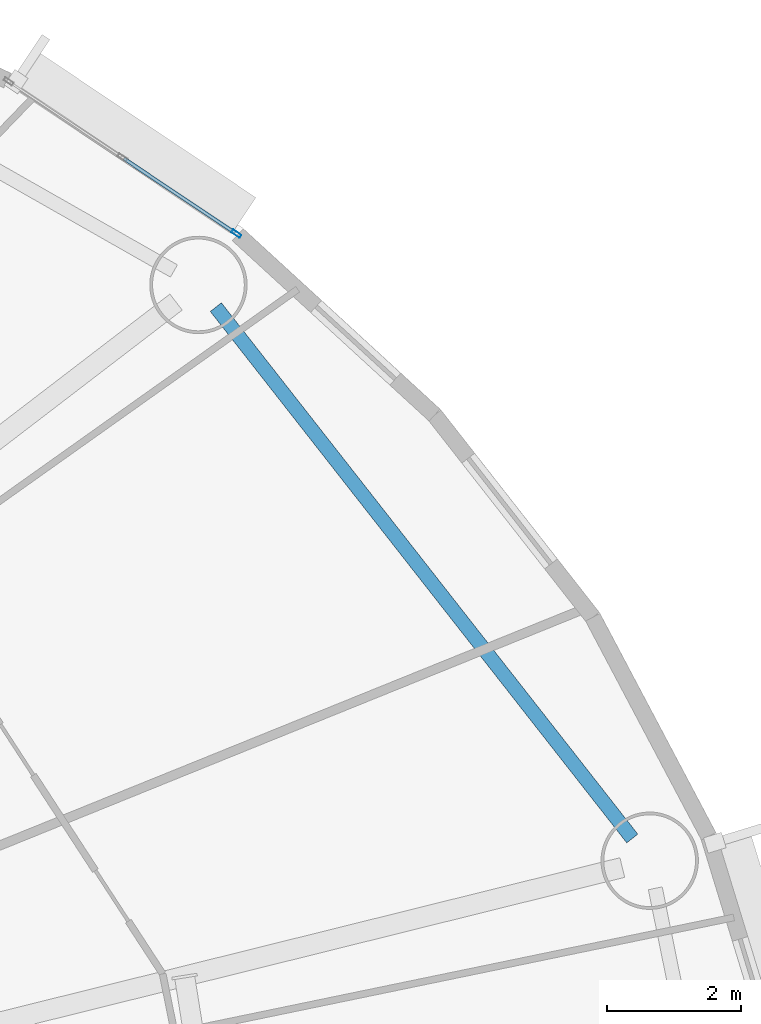
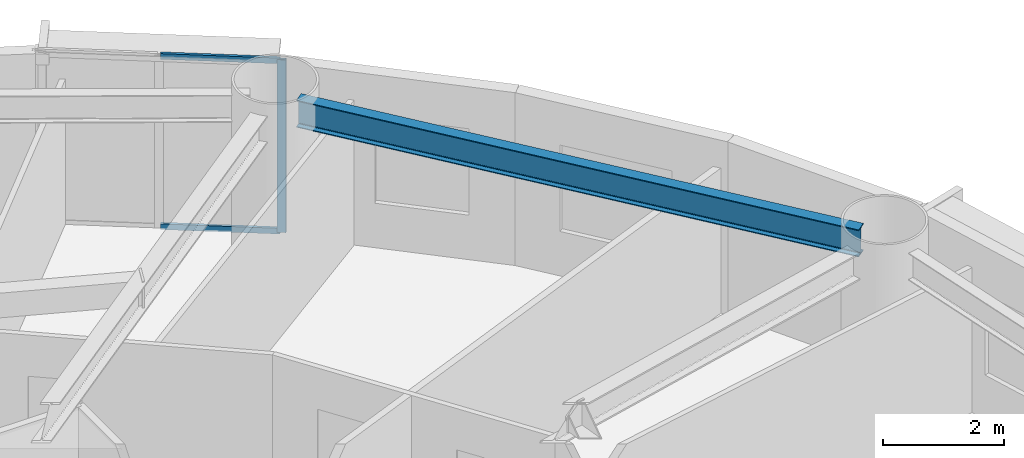
# One storey, part 7 of 22: 3 members, 1 beam, 1 element without a shape of its own.
"""IFC4 building model written with IfcOpenShell, lengths in metres."""

from ifc_helpers import new_model, si_unit, direction, frame, origin, origin_2d, place, context, subcontext, project, spatial, hollow_rectangle, i_section, extrude, source, transform, mapped, material, layer, layer_set, material_profile, profile_set, type_object, element, aggregate, save


model = new_model("IFC4")

# Units and contexts
model_context = context("Model", 3, precision=1e-05, world=origin(), true_north=direction((0.0, 1.0)))
body_context = subcontext(model_context, "Body", "Model", "MODEL_VIEW")
ifc_project = project(units=[si_unit("LENGTHUNIT", "METRE"), si_unit("AREAUNIT", "SQUARE_METRE"), si_unit("VOLUMEUNIT", "CUBIC_METRE"), si_unit("PLANEANGLEUNIT", "RADIAN"), si_unit("MASSUNIT", "GRAM", prefix="KILO")], contexts=[model_context])

# Site, building, storey
site_placement = place(None, origin())
site = spatial("IfcSite", under=ifc_project, at=site_placement, CompositionType="ELEMENT")
building_placement = place(site_placement, origin())
building = spatial("IfcBuilding", under=site, at=building_placement, Name="Linh Dai School and Residence Tower", CompositionType="ELEMENT")
storey_placement = place(building_placement, frame((0.0, 0.0, 130.949951171875)))
storey = spatial("IfcBuildingStorey", under=building, at=storey_placement, Name="L31", CompositionType="ELEMENT", Elevation=130.949951171875)

# Beam
ifc_material_1 = material(Name="Structural Steel S355JR", Category="steel")
ifc_material_profile_1 = material_profile(ifc_material_1, i_section(OverallWidth=0.2099609375, OverallDepth=0.550048828125, WebThickness=0.010986328125, FlangeThickness=0.01708984375, FilletRadius=0.02392578125, at=origin_2d()), Name="IPE 550")
ifc_profile_set_1 = profile_set([ifc_material_profile_1], Name="Structural Steel S355JR")
beam_type = type_object("IfcBeamType", Name="BM-RB55", PredefinedType="BEAM", material=ifc_profile_set_1)
beam_placement = place(storey_placement, frame((62.233642578125, 33.91162109375, 3.22509765625), z_axis=(-0.616854830973, 0.787076945098, 0.0), x_axis=(-0.787076945098, -0.616854830973, 0.0)))
element("IfcBeam", 1, at=beam_placement, inside=storey, type_object=beam_type, Name="L31 Perimeter Elliptical Ring Beam 02", PredefinedType="BEAM", context=body_context, shape_type="SweptSolid", body=[
    extrude(i_section(OverallWidth=0.2099609375, OverallDepth=0.550048828125, WebThickness=0.010986328125, FlangeThickness=0.01708984375, FilletRadius=0.02392578125, at=origin_2d()), origin(), (0.0, 0.0, 1.0), 10.053955078125),
])

# Curtain wall, members
ifc_material_2 = material(Name="Aluminium Anodised Curtain Wall", Category="aluminium")
ifc_layer = layer(ifc_material_2, 0.14990234375)
ifc_layer_set = layer_set([ifc_layer], Name="Aluminium Anodised Curtain Wall")
curtain_wall_type = type_object("IfcCurtainWallType", Name="CW-SYS-4", PredefinedType="USERDEFINED", material=ifc_layer_set)
curtain_wall_placement = place(storey_placement, origin())
curtain_wall = element("IfcCurtainWall", 2, at=curtain_wall_placement, inside=storey, type_object=curtain_wall_type, Name="L31 CW4 Curtain Wall 06", ObjectType="RIBBON CURTAIN WALL", PredefinedType="USERDEFINED")
ifc_material_3 = material(Name="Aluminium Alloy 6063-T6", Category="aluminium")
ifc_material_profile_2 = material_profile(ifc_material_3, hollow_rectangle(XDim=0.052001953125, YDim=0.14990234375, WallThickness=0.00390625, at=origin_2d()), Name="RHS 150x52x4")
ifc_profile_set_2 = profile_set([ifc_material_profile_2], Name="Aluminium Alloy 6063-T6")
member_type_1 = type_object("IfcMemberType", Name="CW-SYS-4-MUL", PredefinedType="MULLION", material=ifc_profile_set_2)
shared_shape_1 = source(origin(), body_context, "Body", "SweptSolid", [
    extrude(hollow_rectangle(XDim=0.052001953125, YDim=0.14990234375, WallThickness=0.00390625, at=origin_2d()), origin(), (0.0, 0.0, 1.0), 3.5),
])
member_1_placement = place(storey_placement, frame((56.336669921875, 42.91796875, 0.0), z_axis=(0.0, 0.0, 1.0), x_axis=(0.555913198527, 0.831240347736, 0.0)))
member_1 = element("IfcMember", 3, at=member_1_placement, type_object=member_type_1, Name="CW4 mullion 3", PredefinedType="MULLION", context=body_context, shape_type="MappedRepresentation", body=[
    mapped(shared_shape_1, transform((0.0, 0.0, 0.0), x_axis=(1.0, 0.0, 0.0), y_axis=(0.0, 1.0, 0.0), z_axis=(0.0, 0.0, 1.0), scale=1.0)),
])
ifc_material_profile_3 = material_profile(ifc_material_3, hollow_rectangle(XDim=0.052001953125, YDim=0.114990234375, WallThickness=0.00390625, at=origin_2d()), Name="RHS 115x52x4")
ifc_profile_set_3 = profile_set([ifc_material_profile_3], Name="Aluminium Alloy 6063-T6")
member_type_2 = type_object("IfcMemberType", Name="CW-SYS-4-TRN", PredefinedType="USERDEFINED", material=ifc_profile_set_3)
shared_shape_2 = source(origin(), body_context, "Body", "SweptSolid", [
    extrude(hollow_rectangle(XDim=0.052001953125, YDim=0.114990234375, WallThickness=0.00390625, at=origin_2d()), origin(), (0.0, 0.0, 1.0), 1.987060546875),
])
member_2_placement = place(storey_placement, frame((54.663330078125, 44.036865234375, 0.026123046875), z_axis=(0.83129343924, -0.555833804186, 0.0), x_axis=(0.555833804186, 0.83129343924, 0.0)))
member_2 = element("IfcMember", 4, at=member_2_placement, type_object=member_type_2, Name="CW4 transom 2.1", ObjectType="TRANSOM", PredefinedType="USERDEFINED", context=body_context, shape_type="MappedRepresentation", body=[
    mapped(shared_shape_2, transform((0.0, 0.0, 0.0), x_axis=(1.0, 0.0, 0.0), y_axis=(0.0, 1.0, 0.0), z_axis=(0.0, 0.0, 1.0), scale=1.0)),
])
member_3_placement = place(storey_placement, frame((54.663330078125, 44.036865234375, 3.47412109375), z_axis=(0.83129343924, -0.555833804186, 0.0), x_axis=(0.555833804186, 0.83129343924, 0.0)))
member_3 = element("IfcMember", 5, at=member_3_placement, type_object=member_type_2, Name="CW4 transom 2.2", ObjectType="TRANSOM", PredefinedType="USERDEFINED", context=body_context, shape_type="MappedRepresentation", body=[
    mapped(shared_shape_2, transform((0.0, 0.0, 0.0), x_axis=(1.0, 0.0, 0.0), y_axis=(0.0, 1.0, 0.0), z_axis=(0.0, 0.0, 1.0), scale=1.0)),
])
aggregate(curtain_wall, [member_1, member_2, member_3])

save(model, "model.ifc")
